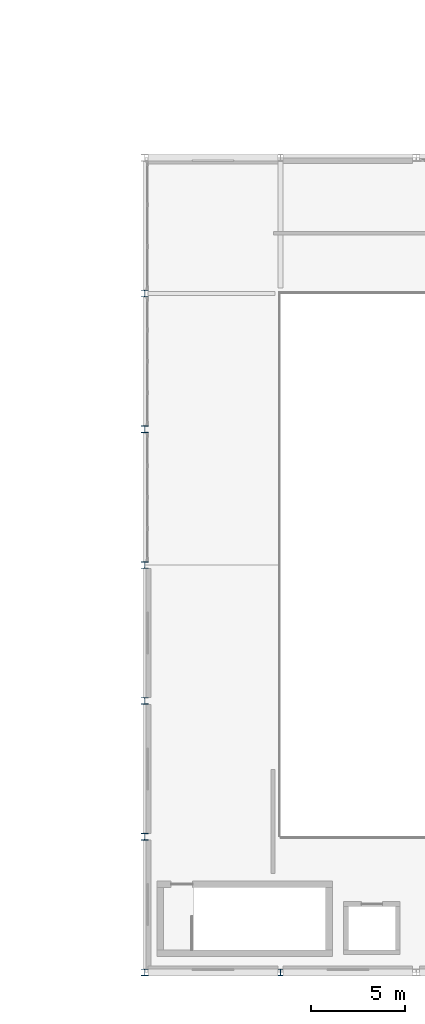
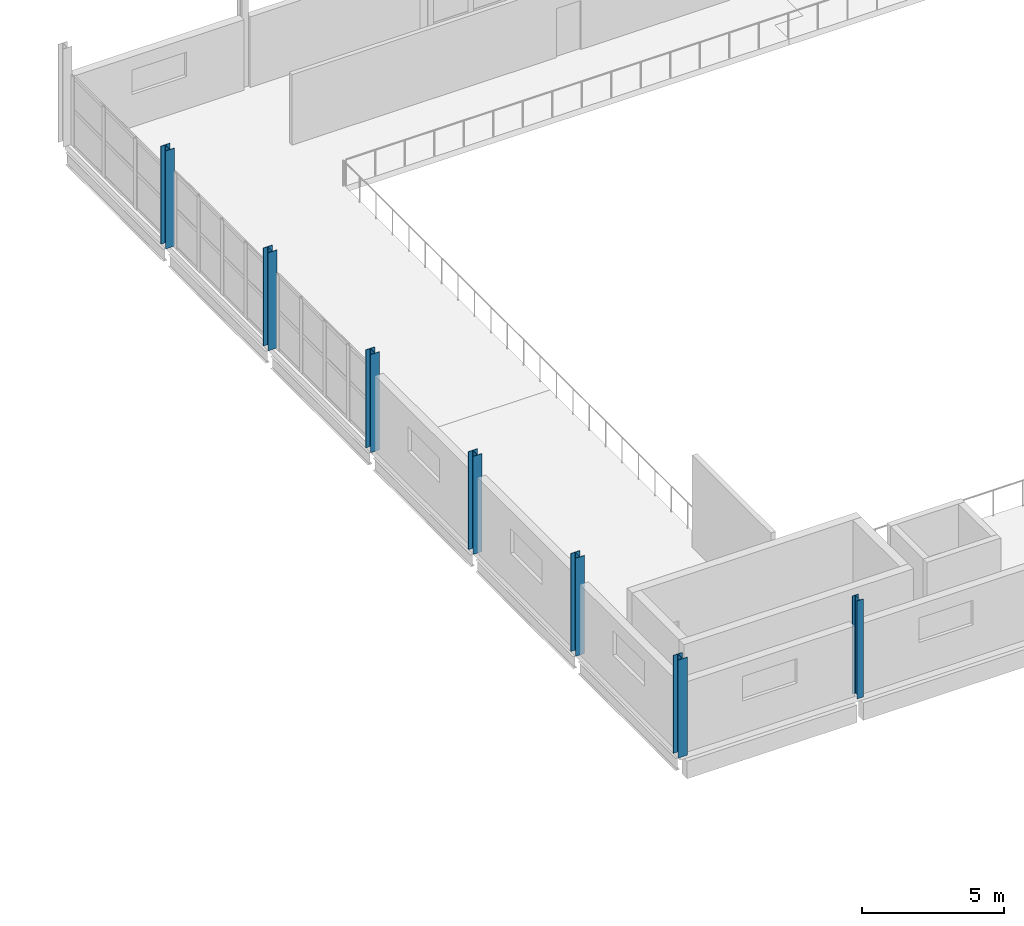
# One storey, part 5 of 94: 7 columns.
"""IFC4 building model written with IfcOpenShell, lengths in metres."""

from ifc_helpers import new_model, si_unit, direction, frame, origin, origin_2d, place, context, subcontext, project, spatial, i_section, extrude, material, material_profile, profile_set, type_object, element, save


model = new_model("IFC4")

# Units and contexts
model_context = context("Model", 3, precision=1e-05, world=origin(), true_north=direction((0.0, 1.0)))
body_context = subcontext(model_context, "Body", "Model", "MODEL_VIEW")
ifc_project = project(units=[si_unit("LENGTHUNIT", "METRE"), si_unit("AREAUNIT", "SQUARE_METRE"), si_unit("VOLUMEUNIT", "CUBIC_METRE"), si_unit("PLANEANGLEUNIT", "RADIAN"), si_unit("MASSUNIT", "GRAM", prefix="KILO")], contexts=[model_context])

# Site, building, storey
site_placement = place(None, origin())
site = spatial("IfcSite", under=ifc_project, at=site_placement, CompositionType="ELEMENT")
building_placement = place(site_placement, origin())
building = spatial("IfcBuilding", under=site, at=building_placement, Name="Kalmorath City Hall", CompositionType="ELEMENT")
storey_placement = place(building_placement, frame((0.0, 0.0, 14.699951171875)))
storey = spatial("IfcBuildingStorey", under=building, at=storey_placement, Name="L03", CompositionType="ELEMENT", Elevation=14.699951171875)

# Columns
ifc_material_1 = material(Name="Steel ASTM A992 Grade 50", Category="steel")
ifc_material_profile_1 = material_profile(ifc_material_1, i_section(OverallWidth=0.256103515625, OverallDepth=0.360107421875, WebThickness=0.011474609375, FlangeThickness=0.02001953125, FilletRadius=0.014892578125, at=origin_2d()), Name="W14X74")
ifc_profile_set_1 = profile_set([ifc_material_profile_1], Name="Steel ASTM A992 Grade 50")
column_type_1 = type_object("IfcColumnType", Name="Steel wide-flange column W14X74", PredefinedType="COLUMN", material=ifc_profile_set_1)
column_placement = place(storey_placement, frame((122.39990234375, 0.0, 0.0), z_axis=(0.0, 0.0, 1.0), x_axis=(1.0, 0.0, 0.0)))
element("IfcColumn", 1, at=column_placement, inside=storey, type_object=column_type_1, Name="L03 column SC4 (18/1)", PredefinedType="COLUMN", context=body_context, shape_type="SweptSolid", body=[
    extrude(i_section(OverallWidth=0.256103515625, OverallDepth=0.360107421875, WebThickness=0.011474609375, FlangeThickness=0.02001953125, FilletRadius=0.014892578125, at=origin_2d()), origin(), (0.0, 0.0, 1.0), 4.199951171875),
])
ifc_material_2 = material(Name="Steel ASTM A992 Grade 50", Category="steel")
ifc_material_profile_2 = material_profile(ifc_material_2, i_section(OverallWidth=0.368896484375, OverallDepth=0.35595703125, WebThickness=0.01123046875, FlangeThickness=0.01806640625, FilletRadius=0.01806640625, at=origin_2d()), Name="W14X90")
ifc_profile_set_2 = profile_set([ifc_material_profile_2], Name="Steel ASTM A992 Grade 50")
column_type_2 = type_object("IfcColumnType", Name="Steel wide-flange column W14X90", PredefinedType="COLUMN", material=ifc_profile_set_2)
for number, where, z_axis, x_axis, name in (
    (2, (115.199951171875, 0.0, 0.0), (0.0, 0.0, 1.0), (1.0, 0.0, 0.0), "L03 column SC3 (17/1)"),
    (3, (115.199951171875, 7.199951171875, 0.0), (0.0, 0.0, 1.0), (1.0, 0.0, 0.0), "L03 column SC3 (17/2)"),
    (4, (115.199951171875, 14.39990234375, 0.0), (0.0, 0.0, 1.0), (1.0, 0.0, 0.0), "L03 column SC3 (17/3)"),
    (5, (115.199951171875, 21.60009765625, 0.0), (0.0, 0.0, 1.0), (1.0, 0.0, 0.0), "L03 column SC3 (17/4)"),
    (6, (115.199951171875, 28.800048828125, 0.0), (0.0, 0.0, 1.0), (1.0, 0.0, 0.0), "L03 column SC3 (17/5)"),
    (7, (115.199951171875, 36.0, 0.0), (0.0, 0.0, 1.0), (1.0, 0.0, 0.0), "L03 column SC3 (17/6)"),
):
    element("IfcColumn", number, at=place(storey_placement, frame(where, z_axis=z_axis, x_axis=x_axis)), inside=storey, type_object=column_type_2, Name=name, PredefinedType="COLUMN", context=body_context, shape_type="SweptSolid", body=[
        extrude(i_section(OverallWidth=0.368896484375, OverallDepth=0.35595703125, WebThickness=0.01123046875, FlangeThickness=0.01806640625, FilletRadius=0.01806640625, at=origin_2d()), origin(), (0.0, 0.0, 1.0), 4.199951171875),
    ])

save(model, "model.ifc")
